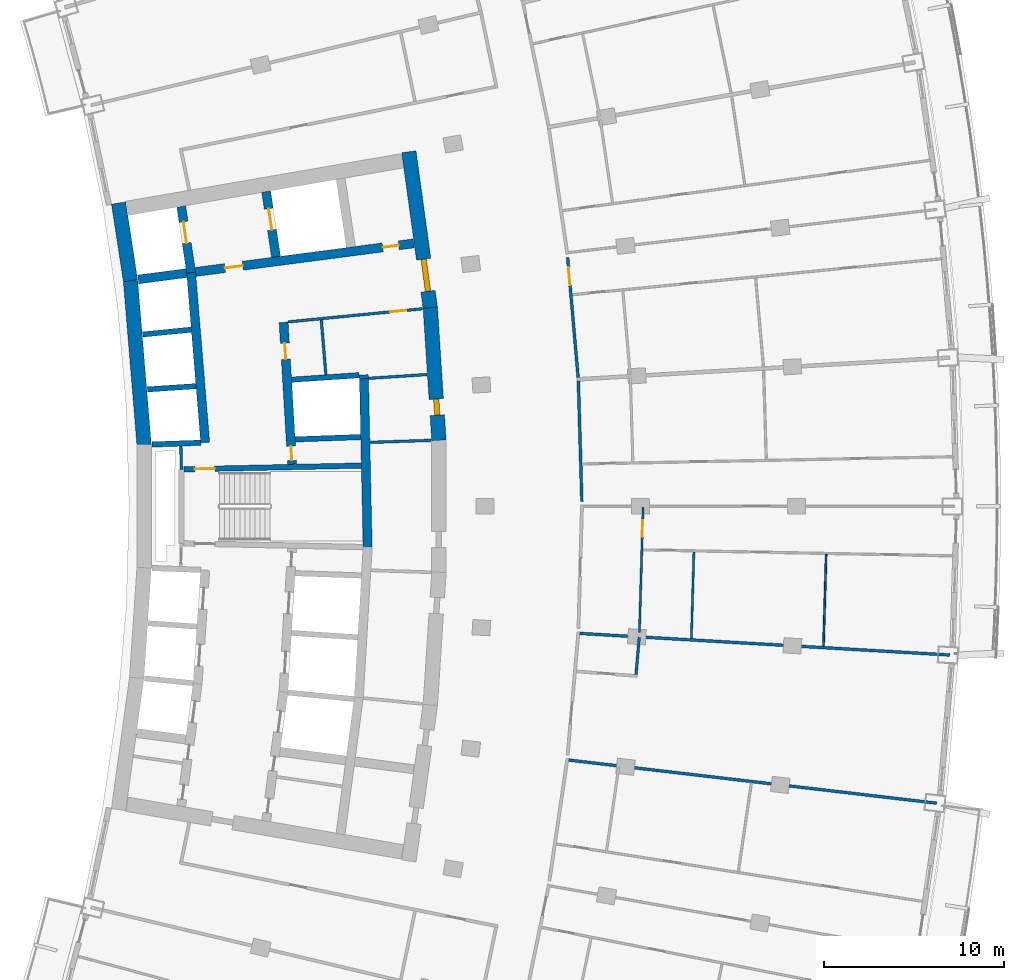
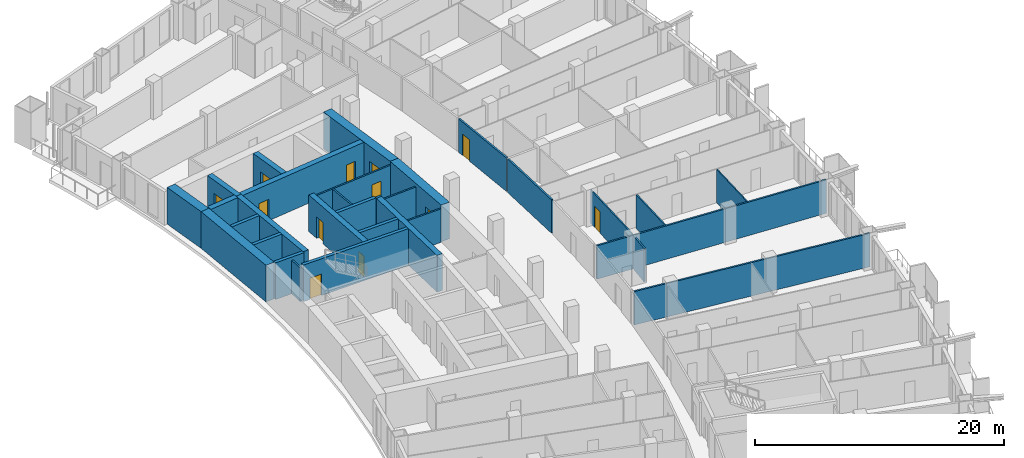
# One storey, part 17 of 25: 31 walls, 12 doors, 12 openings.
"""IFC4 building model written with IfcOpenShell, lengths in metres."""

from ifc_helpers import new_model, si_unit, direction, frame, frame_2d, origin, place, context, subcontext, project, spatial, rectangle, extrude, material, layer, layer_set, type_object, element, fill, save


model = new_model("IFC4")

# Units and contexts
model_context = context("Model", 3, precision=1e-05, world=origin(), true_north=direction((0.0, 1.0)))
body_context = subcontext(model_context, "Body", "Model", "MODEL_VIEW")
ifc_project = project(units=[si_unit("LENGTHUNIT", "METRE"), si_unit("AREAUNIT", "SQUARE_METRE"), si_unit("VOLUMEUNIT", "CUBIC_METRE"), si_unit("PLANEANGLEUNIT", "RADIAN"), si_unit("MASSUNIT", "GRAM", prefix="KILO")], contexts=[model_context])

# Site, building, storey
site_placement = place(None, origin())
site = spatial("IfcSite", under=ifc_project, at=site_placement, CompositionType="ELEMENT")
building_placement = place(site_placement, origin())
building = spatial("IfcBuilding", under=site, at=building_placement, Name="Alderwake Tower", CompositionType="ELEMENT")
storey_placement = place(building_placement, frame((0.0, 0.0, 86.0)))
storey = spatial("IfcBuildingStorey", under=building, at=storey_placement, Name="L20", CompositionType="ELEMENT", Elevation=86.0)

# Walls
ifc_material_1 = material(Name="Gypsum shaft wall system, rated")
ifc_layer_1 = layer(ifc_material_1, 0.14990234375)
ifc_layer_set_1 = layer_set([ifc_layer_1], Name="Core room partition 150")
wall_type_1 = type_object("IfcWallType", Name="Core room partition 150", PredefinedType="PARTITIONING", material=ifc_layer_set_1)
wall_1_placement = place(storey_placement, frame((18.918701171875, 63.05517578125, 0.0), z_axis=(0.0, 0.0, 1.0), x_axis=(-0.027327648352, 0.999626530078, 0.0)))
element("IfcWall", 1, at=wall_1_placement, inside=storey, type_object=wall_type_1, Name="CW/L20/PA+24_+22", PredefinedType="PARTITIONING", context=body_context, shape_type="SweptSolid", body=[
    extrude(rectangle(XDim=1.29541015625, YDim=0.14990234375, at=frame_2d((0.647705078125, 0.0))), origin(), (0.0, 0.0, 1.0), 3.280029296875),
])
wall_2_placement = place(storey_placement, frame((26.94970703125, 68.3203125, 0.0), z_axis=(0.0, 0.0, 1.0), x_axis=(-0.082463525817, 0.996594083321, 0.0)))
element("IfcWall", 2, at=wall_2_placement, inside=storey, type_object=wall_type_1, Name="CW/L20/PA+107_+70", PredefinedType="PARTITIONING", context=body_context, shape_type="SweptSolid", body=[
    extrude(rectangle(XDim=3.055419921875, YDim=0.14990234375, at=frame_2d((1.52783203125, 0.0))), origin(), (0.0, 0.0, 1.0), 3.280029296875),
])
wall_3_placement = place(storey_placement, frame((29.3974609375, 64.55810546875, 0.0), z_axis=(0.0, 0.0, 1.0), x_axis=(0.999470631901, 0.032533920269, 0.0)))
element("IfcWall", 3, at=wall_3_placement, inside=storey, type_object=wall_type_1, Name="CW/L20/PR+34_+128", PredefinedType="PARTITIONING", context=body_context, shape_type="SweptSolid", body=[
    extrude(rectangle(XDim=3.414306640625, YDim=0.14990234375, at=frame_2d((1.70703125, 0.0))), origin(), (0.0, 0.0, 1.0), 3.280029296875),
])
wall_4_placement = place(storey_placement, frame((29.318603515625, 68.11865234375, 0.0), z_axis=(0.0, 0.0, 1.0), x_axis=(0.997885072108, 0.065002945035, 0.0)))
element("IfcWall", 4, at=wall_4_placement, inside=storey, type_object=wall_type_1, Name="CW/L20/PR+68_+128", PredefinedType="PARTITIONING", context=body_context, shape_type="SweptSolid", body=[
    extrude(rectangle(XDim=3.260009765625, YDim=0.14990234375, at=frame_2d((1.6298828125, 0.0))), origin(), (0.0, 0.0, 1.0), 3.280029296875),
])

# Wall, opening, door
wall_5_placement = place(storey_placement, frame((32.333251953125, 71.991943359375, 0.0), z_axis=(0.0, 0.0, 1.0), x_axis=(-0.995248348328, -0.097369015353, 0.0)))
wall_5 = element("IfcWall", 5, at=wall_5_placement, inside=storey, type_object=wall_type_1, Name="CW/L20/PR+102_+86", PredefinedType="PARTITIONING", context=body_context, shape_type="SweptSolid", body=[
    extrude(rectangle(XDim=7.51953125, YDim=0.14990234375, at=frame_2d((3.759765625, 0.0))), origin(), (0.0, 0.0, 1.0), 3.280029296875),
])
opening_1_placement = place(wall_5_placement, frame((0.919921875, 0.0, 0.0)))
opening_1 = element("IfcOpeningElement", 6, at=opening_1_placement, cuts=wall_5, Name="Opening C021", PredefinedType="OPENING", context=body_context, shape_type="SweptSolid", body=[
    extrude(rectangle(XDim=0.89990234375, YDim=2.10009765625, at=frame_2d((0.449951171875, 1.050048828125))), frame((0.0, 0.0849609375, 0.0), z_axis=(0.0, -1.0, 0.0), x_axis=(1.0, 0.0, 0.0)), (0.0, 0.0, 1.0), 0.169921875),
])
ifc_material_2 = material(Name="Painted steel leaf", Category="steel")
door_type_1 = type_object("IfcDoorType", Name="Core room door 900", OperationType="SINGLE_SWING_LEFT", PredefinedType="DOOR", material=ifc_material_2)
door_1_placement = place(opening_1_placement, origin())
door_1 = element("IfcDoor", 7, at=door_1_placement, inside=storey, type_object=door_type_1, Name="Room door", OperationType="SINGLE_SWING_RIGHT", OverallHeight=2.10009765625, OverallWidth=0.89990234375, PredefinedType="DOOR", context=body_context, shape_type="SweptSolid", body=[
    extrude(rectangle(XDim=0.89990234375, YDim=2.10009765625, at=frame_2d((0.449951171875, 1.050048828125))), frame((0.0, 0.02490234375, 0.0), z_axis=(0.0, -1.0, 0.0), x_axis=(1.0, 0.0, 0.0)), (0.0, 0.0, 1.0), 0.050048828125),
])
fill(opening_1, door_1)

# Walls
ifc_material_3 = material(Name="Concrete C70/85", Category="concrete")
ifc_layer_2 = layer(ifc_material_3, 0.800048828125)
ifc_layer_set_2 = layer_set([ifc_layer_2], Name="Core wall outer 800 C70-85")
wall_type_2 = type_object("IfcWallType", Name="Core wall outer 800 C70-85", PredefinedType="SHEAR", material=ifc_layer_set_2)
wall_6_placement = place(storey_placement, frame((16.8408203125, 64.410888671875, 0.0), z_axis=(0.0, 0.0, 1.0), x_axis=(-0.082619502339, 0.996581164699, 0.0)))
element("IfcWall", 8, at=wall_6_placement, inside=storey, type_object=wall_type_2, Name="Core wall CW.040", PredefinedType="SHEAR", context=body_context, shape_type="SweptSolid", body=[
    extrude(rectangle(XDim=9.201904296875, YDim=0.800048828125, at=frame_2d((4.60107421875, 0.0))), origin(), (0.0, 0.0, 1.0), 3.60009765625),
])
wall_7_placement = place(storey_placement, frame((16.083984375, 73.552490234375, 0.0), z_axis=(0.0, 0.0, 1.0), x_axis=(-0.151981606421, 0.988383322052, 0.0)))
element("IfcWall", 9, at=wall_7_placement, inside=storey, type_object=wall_type_2, Name="Core wall CW.039", PredefinedType="SHEAR", context=body_context, shape_type="SweptSolid", body=[
    extrude(rectangle(XDim=4.369384765625, YDim=0.800048828125, at=frame_2d((2.1845703125, 0.0))), origin(), (0.0, 0.0, 1.0), 3.60009765625),
])

# Wall, opening, door
wall_8_placement = place(storey_placement, frame((32.760498046875, 72.048583984375, 0.0), z_axis=(0.0, 0.0, 1.0), x_axis=(0.064976219143, -0.997886812693, 0.0)))
wall_8 = element("IfcWall", 10, at=wall_8_placement, inside=storey, type_object=wall_type_2, Name="Core wall CW.010", PredefinedType="SHEAR", context=body_context, shape_type="SweptSolid", body=[
    extrude(rectangle(XDim=7.39453125, YDim=0.800048828125, at=frame_2d((3.697265625, 0.0))), origin(), (0.0, 0.0, 1.0), 3.60009765625),
])
opening_2_placement = place(wall_8_placement, frame((5.08984375, 0.0, 0.0)))
opening_2 = element("IfcOpeningElement", 11, at=opening_2_placement, cuts=wall_8, Name="Opening C035", PredefinedType="OPENING", context=body_context, shape_type="SweptSolid", body=[
    extrude(rectangle(XDim=0.89990234375, YDim=2.10009765625, at=frame_2d((0.449951171875, 1.050048828125))), frame((0.0, 0.409912109375, 0.0), z_axis=(0.0, -1.0, 0.0), x_axis=(1.0, 0.0, 0.0)), (0.0, 0.0, 1.0), 0.820068359375),
])
door_2_placement = place(opening_2_placement, origin())
door_2 = element("IfcDoor", 12, at=door_2_placement, inside=storey, type_object=door_type_1, Name="Room door", OperationType="SINGLE_SWING_RIGHT", OverallHeight=2.10009765625, OverallWidth=0.89990234375, PredefinedType="DOOR", context=body_context, shape_type="SweptSolid", body=[
    extrude(rectangle(XDim=0.89990234375, YDim=2.10009765625, at=frame_2d((0.449951171875, 1.050048828125))), frame((0.0, 0.14990234375, 0.0), z_axis=(0.0, -1.0, 0.0), x_axis=(1.0, 0.0, 0.0)), (0.0, 0.0, 1.0), 0.300048828125),
])
fill(opening_2, door_2)

wall_9_placement = place(storey_placement, frame((31.569580078125, 80.7265625, 0.0), z_axis=(0.0, 0.0, 1.0), x_axis=(0.135838347444, -0.990731014637, 0.0)))
wall_9 = element("IfcWall", 13, at=wall_9_placement, inside=storey, type_object=wall_type_2, Name="Core wall CW.009", PredefinedType="SHEAR", context=body_context, shape_type="SweptSolid", body=[
    extrude(rectangle(XDim=8.788818359375, YDim=0.800048828125, at=frame_2d((4.39453125, 0.0))), origin(), (0.0, 0.0, 1.0), 3.60009765625),
])
opening_3_placement = place(wall_9_placement, frame((6.032958984375, 0.0, 0.0)))
opening_3 = element("IfcOpeningElement", 14, at=opening_3_placement, cuts=wall_9, Name="Opening C001", PredefinedType="OPENING", context=body_context, shape_type="SweptSolid", body=[
    extrude(rectangle(XDim=1.800048828125, YDim=2.10009765625, at=frame_2d((0.89990234375, 1.050048828125))), frame((0.0, 0.409912109375, 0.0), z_axis=(0.0, -1.0, 0.0), x_axis=(1.0, 0.0, 0.0)), (0.0, 0.0, 1.0), 0.820068359375),
])
ifc_material_4 = material(Name="Steel-framed fire door leaves", Category="steel")
door_type_2 = type_object("IfcDoorType", Name="Core double door 1800 fire-rated", OperationType="DOUBLE_DOOR_SINGLE_SWING", PredefinedType="DOOR", material=ifc_material_4)
door_3_placement = place(opening_3_placement, origin())
door_3 = element("IfcDoor", 15, at=door_3_placement, inside=storey, type_object=door_type_2, Name="Lobby double door", OperationType="DOUBLE_DOOR_SINGLE_SWING", OverallHeight=2.10009765625, OverallWidth=1.800048828125, PredefinedType="DOOR", context=body_context, shape_type="SweptSolid", body=[
    extrude(rectangle(XDim=1.800048828125, YDim=2.10009765625, at=frame_2d((0.89990234375, 1.050048828125))), frame((0.0, 0.14990234375, 0.0), z_axis=(0.0, -1.0, 0.0), x_axis=(1.0, 0.0, 0.0)), (0.0, 0.0, 1.0), 0.300048828125),
])
fill(opening_3, door_3)

# Walls
ifc_material_5 = material(Name="Concrete C70/85", Category="concrete")
ifc_layer_3 = layer(ifc_material_5, 0.300048828125)
ifc_layer_set_3 = layer_set([ifc_layer_3], Name="Core wall shaft 300 C70-85")
wall_type_3 = type_object("IfcWallType", Name="Core wall shaft 300 C70-85", PredefinedType="SHEAR", material=ifc_layer_set_3)
wall_10_placement = place(storey_placement, frame((17.269287109375, 64.443115234375, 0.0), z_axis=(0.0, 0.0, 1.0), x_axis=(0.999374239339, 0.03537131246, 0.0)))
element("IfcWall", 16, at=wall_10_placement, inside=storey, type_object=wall_type_3, Name="Core wall CW.059", PredefinedType="SHEAR", context=body_context, shape_type="SweptSolid", body=[
    extrude(rectangle(XDim=2.719482421875, YDim=0.300048828125, at=frame_2d((1.35986328125, 0.0))), origin(), (0.0, 0.0, 1.0), 3.60009765625),
])
wall_11_placement = place(storey_placement, frame((25.2412109375, 64.725341796875, 0.0), z_axis=(0.0, 0.0, 1.0), x_axis=(0.999374468163, 0.035364846723, 0.0)))
element("IfcWall", 17, at=wall_11_placement, inside=storey, type_object=wall_type_3, Name="Core wall CW.060", PredefinedType="SHEAR", context=body_context, shape_type="SweptSolid", body=[
    extrude(rectangle(XDim=3.65185546875, YDim=0.300048828125, at=frame_2d((1.825927734375, 0.0))), origin(), (0.0, 0.0, 1.0), 3.60009765625),
])
wall_12_placement = place(storey_placement, frame((17.015869140625, 67.50390625, 0.0), z_axis=(0.0, 0.0, 1.0), x_axis=(0.997756033475, 0.066954444689, 0.0)))
element("IfcWall", 18, at=wall_12_placement, inside=storey, type_object=wall_type_3, Name="Core wall CW.062", PredefinedType="SHEAR", context=body_context, shape_type="SweptSolid", body=[
    extrude(rectangle(XDim=2.716552734375, YDim=0.300048828125, at=frame_2d((1.3583984375, 0.0))), origin(), (0.0, 0.0, 1.0), 3.60009765625),
])
wall_13_placement = place(storey_placement, frame((25.042236328125, 68.0419921875, 0.0), z_axis=(0.0, 0.0, 1.0), x_axis=(0.997762475899, 0.066858370369, 0.0)))
element("IfcWall", 19, at=wall_13_placement, inside=storey, type_object=wall_type_3, Name="Core wall CW.063", PredefinedType="SHEAR", context=body_context, shape_type="SweptSolid", body=[
    extrude(rectangle(XDim=3.772216796875, YDim=0.300048828125, at=frame_2d((1.88623046875, 0.0))), origin(), (0.0, 0.0, 1.0), 3.60009765625),
])
wall_14_placement = place(storey_placement, frame((16.76220703125, 70.561767578125, 0.0), z_axis=(0.0, 0.0, 1.0), x_axis=(0.995154832978, 0.098320183083, 0.0)))
element("IfcWall", 20, at=wall_14_placement, inside=storey, type_object=wall_type_3, Name="Core wall CW.050", PredefinedType="SHEAR", context=body_context, shape_type="SweptSolid", body=[
    extrude(rectangle(XDim=2.716552734375, YDim=0.300048828125, at=frame_2d((1.3583984375, 0.0))), origin(), (0.0, 0.0, 1.0), 3.60009765625),
])
ifc_material_6 = material(Name="Concrete C70/85", Category="concrete")
ifc_layer_4 = layer(ifc_material_6, 0.5)
ifc_layer_set_4 = layer_set([ifc_layer_4], Name="Core wall spine 500 C70-85")
wall_type_4 = type_object("IfcWallType", Name="Core wall spine 500 C70-85", PredefinedType="SHEAR", material=ifc_layer_set_4)
wall_15_placement = place(storey_placement, frame((20.2373046875, 64.548095703125, 0.0), z_axis=(0.0, 0.0, 1.0), x_axis=(-0.082641410547, 0.996579348202, 0.0)))
element("IfcWall", 21, at=wall_15_placement, inside=storey, type_object=wall_type_4, Name="Core wall CW.031", PredefinedType="SHEAR", context=body_context, shape_type="SweptSolid", body=[
    extrude(rectangle(XDim=9.500732421875, YDim=0.5, at=frame_2d((4.75048828125, 0.0))), origin(), (0.0, 0.0, 1.0), 3.60009765625),
])

# Wall, opening, door
wall_16_placement = place(storey_placement, frame((19.4541015625, 73.9990234375, 0.0), z_axis=(0.0, 0.0, 1.0), x_axis=(-0.14792928808, 0.988997940204, 0.0)))
wall_16 = element("IfcWall", 22, at=wall_16_placement, inside=storey, type_object=wall_type_4, Name="Core wall CW.030", PredefinedType="SHEAR", context=body_context, shape_type="SweptSolid", body=[
    extrude(rectangle(XDim=3.716552734375, YDim=0.5, at=frame_2d((1.8583984375, 0.0))), origin(), (0.0, 0.0, 1.0), 3.60009765625),
])
opening_4_placement = place(wall_16_placement, frame((1.66259765625, 0.0, 0.0)))
opening_4 = element("IfcOpeningElement", 23, at=opening_4_placement, cuts=wall_16, Name="Opening LD-FF1", PredefinedType="OPENING", context=body_context, shape_type="SweptSolid", body=[
    extrude(rectangle(XDim=1.199951171875, YDim=2.300048828125, at=frame_2d((0.60009765625, 1.14990234375))), frame((0.0, 0.260009765625, 0.0), z_axis=(0.0, -1.0, 0.0), x_axis=(1.0, 0.0, 0.0)), (0.0, 0.0, 1.0), 0.52001953125),
])
ifc_material_7 = material(Name="Stainless steel sliding leaf", Category="steel")
door_type_3 = type_object("IfcDoorType", Name="Lift landing door 1200", OperationType="SLIDING_TO_LEFT", PredefinedType="DOOR", material=ifc_material_7)
door_4_placement = place(opening_4_placement, origin())
door_4 = element("IfcDoor", 24, at=door_4_placement, inside=storey, type_object=door_type_3, Name="Lift landing door FF1", OperationType="SLIDING_TO_LEFT", OverallHeight=2.300048828125, OverallWidth=1.199951171875, PredefinedType="DOOR", context=body_context, shape_type="SweptSolid", body=[
    extrude(rectangle(XDim=1.199951171875, YDim=2.300048828125, at=frame_2d((0.60009765625, 1.14990234375))), frame((0.0, 0.02490234375, 0.0), z_axis=(0.0, -1.0, 0.0), x_axis=(1.0, 0.0, 0.0)), (0.0, 0.0, 1.0), 0.050048828125),
])
fill(opening_4, door_4)

# Wall, openings, doors
wall_17_placement = place(storey_placement, frame((25.073974609375, 63.335693359375, 0.0), z_axis=(0.0, 0.0, 1.0), x_axis=(-0.059848641072, 0.998207463487, 0.0)))
wall_17 = element("IfcWall", 25, at=wall_17_placement, inside=storey, type_object=wall_type_4, Name="Core wall CW.045", PredefinedType="SHEAR", context=body_context, shape_type="SweptSolid", body=[
    extrude(rectangle(XDim=7.913818359375, YDim=0.5, at=frame_2d((3.95703125, 0.0))), origin(), (0.0, 0.0, 1.0), 3.60009765625),
])
opening_5_placement = place(wall_17_placement, frame((0.216064453125, 0.0, 0.0)))
opening_5 = element("IfcOpeningElement", 26, at=opening_5_placement, cuts=wall_17, Name="Opening C005", PredefinedType="OPENING", context=body_context, shape_type="SweptSolid", body=[
    extrude(rectangle(XDim=0.800048828125, YDim=2.0, at=frame_2d((0.39990234375, 1.0))), frame((0.0, 0.260009765625, 0.0), z_axis=(0.0, -1.0, 0.0), x_axis=(1.0, 0.0, 0.0)), (0.0, 0.0, 1.0), 0.52001953125),
])
opening_6_placement = place(wall_17_placement, frame((5.856201171875, 0.0, 0.0)))
opening_6 = element("IfcOpeningElement", 27, at=opening_6_placement, cuts=wall_17, Name="Opening C024", PredefinedType="OPENING", context=body_context, shape_type="SweptSolid", body=[
    extrude(rectangle(XDim=0.89990234375, YDim=2.10009765625, at=frame_2d((0.449951171875, 1.050048828125))), frame((0.0, 0.260009765625, 0.0), z_axis=(0.0, -1.0, 0.0), x_axis=(1.0, 0.0, 0.0)), (0.0, 0.0, 1.0), 0.52001953125),
])
door_5_placement = place(opening_6_placement, origin())
door_5 = element("IfcDoor", 28, at=door_5_placement, inside=storey, type_object=door_type_1, Name="Room door", OperationType="SINGLE_SWING_LEFT", OverallHeight=2.10009765625, OverallWidth=0.89990234375, PredefinedType="DOOR", context=body_context, shape_type="SweptSolid", body=[
    extrude(rectangle(XDim=0.89990234375, YDim=2.10009765625, at=frame_2d((0.449951171875, 1.050048828125))), frame((0.0, 0.02490234375, 0.0), z_axis=(0.0, -1.0, 0.0), x_axis=(1.0, 0.0, 0.0)), (0.0, 0.0, 1.0), 0.050048828125),
])
fill(opening_6, door_5)
ifc_material_8 = material(Name="Painted steel leaf, rated", Category="steel")
door_type_4 = type_object("IfcDoorType", Name="Riser access door 800", OperationType="SINGLE_SWING_LEFT", PredefinedType="DOOR", material=ifc_material_8)
door_6_placement = place(opening_5_placement, origin())
door_6 = element("IfcDoor", 29, at=door_6_placement, inside=storey, type_object=door_type_4, Name="Riser access door", OperationType="SINGLE_SWING_LEFT", OverallHeight=2.0, OverallWidth=0.800048828125, PredefinedType="DOOR", context=body_context, shape_type="SweptSolid", body=[
    extrude(rectangle(XDim=0.800048828125, YDim=2.0, at=frame_2d((0.39990234375, 1.0))), frame((0.0, 0.02490234375, 0.0), z_axis=(0.0, -1.0, 0.0), x_axis=(1.0, 0.0, 0.0)), (0.0, 0.0, 1.0), 0.050048828125),
])
fill(opening_5, door_6)

# Wall, opening, door
wall_18_placement = place(storey_placement, frame((24.1796875, 74.878173828125, 0.0), z_axis=(0.0, 0.0, 1.0), x_axis=(-0.149334835296, 0.988786684259, 0.0)))
wall_18 = element("IfcWall", 30, at=wall_18_placement, inside=storey, type_object=wall_type_4, Name="Core wall CW.044", PredefinedType="SHEAR", context=body_context, shape_type="SweptSolid", body=[
    extrude(rectangle(XDim=3.673583984375, YDim=0.5, at=frame_2d((1.8369140625, 0.0))), origin(), (0.0, 0.0, 1.0), 3.60009765625),
])
opening_7_placement = place(wall_18_placement, frame((1.51171875, 0.0, 0.0)))
opening_7 = element("IfcOpeningElement", 31, at=opening_7_placement, cuts=wall_18, Name="Opening LD-FF2", PredefinedType="OPENING", context=body_context, shape_type="SweptSolid", body=[
    extrude(rectangle(XDim=1.199951171875, YDim=2.300048828125, at=frame_2d((0.60009765625, 1.14990234375))), frame((0.0, 0.260009765625, 0.0), z_axis=(0.0, -1.0, 0.0), x_axis=(1.0, 0.0, 0.0)), (0.0, 0.0, 1.0), 0.52001953125),
])
door_7_placement = place(opening_7_placement, origin())
door_7 = element("IfcDoor", 32, at=door_7_placement, inside=storey, type_object=door_type_3, Name="Lift landing door FF2", OperationType="SLIDING_TO_LEFT", OverallHeight=2.300048828125, OverallWidth=1.199951171875, PredefinedType="DOOR", context=body_context, shape_type="SweptSolid", body=[
    extrude(rectangle(XDim=1.199951171875, YDim=2.300048828125, at=frame_2d((0.60009765625, 1.14990234375))), frame((0.0, 0.02490234375, 0.0), z_axis=(0.0, -1.0, 0.0), x_axis=(1.0, 0.0, 0.0)), (0.0, 0.0, 1.0), 0.050048828125),
])
fill(opening_7, door_7)

# Walls
wall_19_placement = place(storey_placement, frame((29.276611328125, 58.71630859375, 0.0), z_axis=(0.0, 0.0, 1.0), x_axis=(-0.022115722908, 0.99975541749, 0.0)))
element("IfcWall", 33, at=wall_19_placement, inside=storey, type_object=wall_type_4, Name="Core wall CW.007", PredefinedType="SHEAR", context=body_context, shape_type="SweptSolid", body=[
    extrude(rectangle(XDim=9.394287109375, YDim=0.5, at=frame_2d((4.697265625, 0.0))), origin(), (0.0, 0.0, 1.0), 3.60009765625),
])
wall_20_placement = place(storey_placement, frame((29.0693359375, 68.096435546875, 0.0), z_axis=(0.0, 0.0, 1.0), x_axis=(-0.065840896216, 0.997830134034, 0.0)))
element("IfcWall", 34, at=wall_20_placement, inside=storey, type_object=wall_type_4, Name="Core wall CW.003", PredefinedType="SHEAR", context=body_context, shape_type="SweptSolid", body=[
    extrude(rectangle(XDim=0.215087890625, YDim=0.5, at=frame_2d((0.107421875, 0.0))), origin(), (0.0, 0.0, 1.0), 3.60009765625),
])
wall_21_placement = place(storey_placement, frame((16.508544921875, 73.62255859375, 0.0), z_axis=(0.0, 0.0, 1.0), x_axis=(0.991548766325, 0.129734513522, 0.0)))
element("IfcWall", 35, at=wall_21_placement, inside=storey, type_object=wall_type_4, Name="Core wall CW.051", PredefinedType="SHEAR", context=body_context, shape_type="SweptSolid", body=[
    extrude(rectangle(XDim=2.71923828125, YDim=0.5, at=frame_2d((1.359619140625, 0.0))), origin(), (0.0, 0.0, 1.0), 3.60009765625),
])

# Wall, openings, doors
wall_22_placement = place(storey_placement, frame((31.834716796875, 75.627197265625, 0.0), z_axis=(0.0, 0.0, 1.0), x_axis=(-0.991555516999, -0.129682908318, 0.0)))
wall_22 = element("IfcWall", 36, at=wall_22_placement, inside=storey, type_object=wall_type_4, Name="Core wall CW.052", PredefinedType="SHEAR", context=body_context, shape_type="SweptSolid", body=[
    extrude(rectangle(XDim=12.23681640625, YDim=0.5, at=frame_2d((6.118408203125, 0.0))), origin(), (0.0, 0.0, 1.0), 3.60009765625),
])
opening_8_placement = place(wall_22_placement, frame((9.587158203125, 0.0, 0.0)))
opening_8 = element("IfcOpeningElement", 37, at=opening_8_placement, cuts=wall_22, Name="Opening C002", PredefinedType="OPENING", context=body_context, shape_type="SweptSolid", body=[
    extrude(rectangle(XDim=1.0, YDim=2.10009765625, at=frame_2d((0.5, 1.050048828125))), frame((0.0, 0.260009765625, 0.0), z_axis=(0.0, -1.0, 0.0), x_axis=(1.0, 0.0, 0.0)), (0.0, 0.0, 1.0), 0.52001953125),
])
opening_9_placement = place(wall_22_placement, frame((0.837158203125, 0.0, 0.0)))
opening_9 = element("IfcOpeningElement", 38, at=opening_9_placement, cuts=wall_22, Name="Opening C020", PredefinedType="OPENING", context=body_context, shape_type="SweptSolid", body=[
    extrude(rectangle(XDim=0.89990234375, YDim=2.10009765625, at=frame_2d((0.449951171875, 1.050048828125))), frame((0.0, 0.260009765625, 0.0), z_axis=(0.0, -1.0, 0.0), x_axis=(1.0, 0.0, 0.0)), (0.0, 0.0, 1.0), 0.52001953125),
])
door_8_placement = place(opening_9_placement, origin())
door_8 = element("IfcDoor", 39, at=door_8_placement, inside=storey, type_object=door_type_1, Name="Room door", OperationType="SINGLE_SWING_LEFT", OverallHeight=2.10009765625, OverallWidth=0.89990234375, PredefinedType="DOOR", context=body_context, shape_type="SweptSolid", body=[
    extrude(rectangle(XDim=0.89990234375, YDim=2.10009765625, at=frame_2d((0.449951171875, 1.050048828125))), frame((0.0, 0.02490234375, 0.0), z_axis=(0.0, -1.0, 0.0), x_axis=(1.0, 0.0, 0.0)), (0.0, 0.0, 1.0), 0.050048828125),
])
fill(opening_9, door_8)
ifc_material_9 = material(Name="Steel-framed fire door leaf", Category="steel")
door_type_5 = type_object("IfcDoorType", Name="Firefighting lobby door 1000 fire-rated", OperationType="SINGLE_SWING_LEFT", PredefinedType="DOOR", material=ifc_material_9)
door_9_placement = place(opening_8_placement, origin())
door_9 = element("IfcDoor", 40, at=door_9_placement, inside=storey, type_object=door_type_5, Name="Firefighting lobby door", OperationType="SINGLE_SWING_RIGHT", OverallHeight=2.10009765625, OverallWidth=1.0, PredefinedType="DOOR", context=body_context, shape_type="SweptSolid", body=[
    extrude(rectangle(XDim=1.0, YDim=2.10009765625, at=frame_2d((0.5, 1.050048828125))), frame((0.0, 0.02490234375, 0.0), z_axis=(0.0, -1.0, 0.0), x_axis=(1.0, 0.0, 0.0)), (0.0, 0.0, 1.0), 0.050048828125),
])
fill(opening_8, door_9)

# Wall, opening, door
ifc_material_10 = material(Name="Concrete C70/85", Category="concrete")
ifc_layer_5 = layer(ifc_material_10, 0.300048828125)
ifc_layer_set_5 = layer_set([ifc_layer_5], Name="Core wall stair enclosure 300 C70-85")
wall_type_5 = type_object("IfcWallType", Name="Core wall stair enclosure 300 C70-85", PredefinedType="SHEAR", material=ifc_layer_set_5)
wall_23_placement = place(storey_placement, frame((19.068603515625, 63.060791015625, 0.0), z_axis=(0.0, 0.0, 1.0), x_axis=(0.999783647187, 0.02080045235, 0.0)))
wall_23 = element("IfcWall", 41, at=wall_23_placement, inside=storey, type_object=wall_type_5, Name="Core wall CW.057", PredefinedType="SHEAR", context=body_context, shape_type="SweptSolid", body=[
    extrude(rectangle(XDim=9.859375, YDim=0.300048828125, at=frame_2d((4.9296875, 0.0))), origin(), (0.0, 0.0, 1.0), 3.60009765625),
])
opening_10_placement = place(wall_23_placement, frame((0.60009765625, 0.0, 0.0)))
opening_10 = element("IfcOpeningElement", 42, at=opening_10_placement, cuts=wall_23, Name="Opening C064", PredefinedType="OPENING", context=body_context, shape_type="SweptSolid", body=[
    extrude(rectangle(XDim=1.10009765625, YDim=2.10009765625, at=frame_2d((0.550048828125, 1.050048828125))), frame((0.0, 0.159912109375, 0.0), z_axis=(0.0, -1.0, 0.0), x_axis=(1.0, 0.0, 0.0)), (0.0, 0.0, 1.0), 0.320068359375),
])
ifc_material_11 = material(Name="Steel-framed fire door leaf", Category="steel")
door_type_6 = type_object("IfcDoorType", Name="Core stair door 1100 fire-rated", OperationType="SINGLE_SWING_LEFT", PredefinedType="DOOR", material=ifc_material_11)
door_10_placement = place(opening_10_placement, origin())
door_10 = element("IfcDoor", 43, at=door_10_placement, inside=storey, type_object=door_type_6, Name="Stair door", OperationType="SINGLE_SWING_LEFT", OverallHeight=2.10009765625, OverallWidth=1.10009765625, PredefinedType="DOOR", context=body_context, shape_type="SweptSolid", body=[
    extrude(rectangle(XDim=1.10009765625, YDim=2.10009765625, at=frame_2d((0.550048828125, 1.050048828125))), frame((0.0, 0.02490234375, 0.0), z_axis=(0.0, -1.0, 0.0), x_axis=(1.0, 0.0, 0.0)), (0.0, 0.0, 1.0), 0.050048828125),
])
fill(opening_10, door_10)

# Wall
ifc_material_12 = material(Name="Gypsum board on metal studs, rated")
ifc_layer_6 = layer(ifc_material_12, 0.159912109375)
ifc_layer_set_6 = layer_set([ifc_layer_6], Name="Corridor wall 160")
wall_type_6 = type_object("IfcWallType", Name="Corridor wall 160", PredefinedType="PARTITIONING", material=ifc_layer_set_6)
wall_24_placement = place(storey_placement, frame((41.074951171875, 53.92919921875, 0.0), z_axis=(0.0, 0.0, 1.0), x_axis=(0.998301701652, -0.058255578946, 0.0)))
element("IfcWall", 44, at=wall_24_placement, inside=storey, type_object=wall_type_6, Name="WL/L20/W39", PredefinedType="PARTITIONING", context=body_context, shape_type="SweptSolid", body=[
    extrude(rectangle(XDim=20.618896484375, YDim=0.159912109375, at=frame_2d((10.3095703125, 0.0))), origin(), (0.0, 0.0, 1.0), 3.280029296875),
])

# Wall, opening, door
wall_25_placement = place(storey_placement, frame((40.400390625, 74.84228515625, 0.0), z_axis=(0.0, 0.0, 1.0), x_axis=(0.087437661692, -0.996169993183, 0.0)))
wall_25 = element("IfcWall", 45, at=wall_25_placement, inside=storey, type_object=wall_type_6, Name="WL/L20/W40", PredefinedType="PARTITIONING", context=body_context, shape_type="SweptSolid", body=[
    extrude(rectangle(XDim=6.701171875, YDim=0.159912109375, at=frame_2d((3.3505859375, 0.0))), origin(), (0.0, 0.0, 1.0), 3.280029296875),
])
opening_11_placement = place(wall_25_placement, frame((0.544921875, 0.0, 0.0)))
opening_11 = element("IfcOpeningElement", 46, at=opening_11_placement, cuts=wall_25, Name="Opening R05-U07.2", PredefinedType="OPENING", context=body_context, shape_type="SweptSolid", body=[
    extrude(rectangle(XDim=1.0, YDim=2.10009765625, at=frame_2d((0.5, 1.050048828125))), frame((0.0, 0.08984375, 0.0), z_axis=(0.0, -1.0, 0.0), x_axis=(1.0, 0.0, 0.0)), (0.0, 0.0, 1.0), 0.179931640625),
])
ifc_material_13 = material(Name="Solid timber leaf in steel frame", Category="steel")
door_type_7 = type_object("IfcDoorType", Name="Flat entrance door 1000 fire-rated", OperationType="SINGLE_SWING_LEFT", PredefinedType="DOOR", material=ifc_material_13)
door_11_placement = place(opening_11_placement, origin())
door_11 = element("IfcDoor", 47, at=door_11_placement, inside=storey, type_object=door_type_7, Name="DR/L20/U07.2", OperationType="SINGLE_SWING_LEFT", OverallHeight=2.10009765625, OverallWidth=1.0, PredefinedType="DOOR", context=body_context, shape_type="SweptSolid", body=[
    extrude(rectangle(XDim=1.0, YDim=2.10009765625, at=frame_2d((0.5, 1.050048828125))), frame((0.0, 0.02490234375, 0.0), z_axis=(0.0, -1.0, 0.0), x_axis=(1.0, 0.0, 0.0)), (0.0, 0.0, 1.0), 0.050048828125),
])
fill(opening_11, door_11)

# Walls
wall_26_placement = place(storey_placement, frame((40.997802734375, 67.967041015625, 0.0), z_axis=(0.0, 0.0, 1.0), x_axis=(0.0288778927, -0.99958294669, 0.0)))
element("IfcWall", 48, at=wall_26_placement, inside=storey, type_object=wall_type_6, Name="WL/L20/W41", PredefinedType="PARTITIONING", context=body_context, shape_type="SweptSolid", body=[
    extrude(rectangle(XDim=6.7041015625, YDim=0.159912109375, at=frame_2d((3.35205078125, 0.0))), origin(), (0.0, 0.0, 1.0), 3.280029296875),
])
wall_27_placement = place(storey_placement, frame((60.93603515625, 44.48388671875, 0.0), z_axis=(0.0, 0.0, 1.0), x_axis=(-0.993203681346, 0.116389206376, 0.0)))
element("IfcWall", 49, at=wall_27_placement, inside=storey, type_object=wall_type_6, Name="WL/L20/W42", PredefinedType="PARTITIONING", context=body_context, shape_type="SweptSolid", body=[
    extrude(rectangle(XDim=20.61962890625, YDim=0.159912109375, at=frame_2d((10.309814453125, 0.0))), origin(), (0.0, 0.0, 1.0), 3.280029296875),
])
ifc_material_14 = material(Name="Gypsum shaft wall system, rated")
ifc_layer_7 = layer(ifc_material_14, 0.14990234375)
ifc_layer_set_7 = layer_set([ifc_layer_7], Name="Riser and shaft wall 150")
wall_type_7 = type_object("IfcWallType", Name="Riser and shaft wall 150", PredefinedType="PARTITIONING", material=ifc_layer_set_7)
wall_28_placement = place(storey_placement, frame((44.20556640625, 51.638671875, 0.0), z_axis=(0.0, 0.0, 1.0), x_axis=(0.086639720886, 0.99623970949, 0.0)))
element("IfcWall", 50, at=wall_28_placement, inside=storey, type_object=wall_type_7, Name="WL/L20/W14", PredefinedType="PARTITIONING", context=body_context, shape_type="SweptSolid", body=[
    extrude(rectangle(XDim=2.085205078125, YDim=0.14990234375, at=frame_2d((1.04248046875, 0.0))), origin(), (0.0, 0.0, 1.0), 3.280029296875),
])
ifc_material_15 = material(Name="Gypsum board on metal studs")
ifc_layer_8 = layer(ifc_material_15, 0.10009765625)
ifc_layer_set_8 = layer_set([ifc_layer_8], Name="Unit partition 100")
wall_type_8 = type_object("IfcWallType", Name="Unit partition 100", PredefinedType="PARTITIONING", material=ifc_layer_set_8)
wall_29_placement = place(storey_placement, frame((54.63525390625, 53.216064453125, 0.0), z_axis=(0.0, 0.0, 1.0), x_axis=(0.029156453888, 0.999574860226, 0.0)))
element("IfcWall", 51, at=wall_29_placement, inside=storey, type_object=wall_type_8, Name="WL/L20/W84", PredefinedType="PARTITIONING", context=body_context, shape_type="SweptSolid", body=[
    extrude(rectangle(XDim=5.1162109375, YDim=0.10009765625, at=frame_2d((2.55810546875, 0.0))), origin(), (0.0, 0.0, 1.0), 3.280029296875),
])

# Wall, opening, door
ifc_material_16 = material(Name="Moisture resistant gypsum board on metal studs")
ifc_layer_9 = layer(ifc_material_16, 0.1201171875)
ifc_layer_set_9 = layer_set([ifc_layer_9], Name="Wet room partition 120")
wall_type_9 = type_object("IfcWallType", Name="Wet room partition 120", PredefinedType="PARTITIONING", material=ifc_layer_set_9)
wall_30_placement = place(storey_placement, frame((44.599609375, 60.948974609375, 0.0), z_axis=(0.0, 0.0, 1.0), x_axis=(-0.029334168017, -0.999569660697, 0.0)))
wall_30 = element("IfcWall", 52, at=wall_30_placement, inside=storey, type_object=wall_type_9, Name="WL/L20/W60", PredefinedType="PARTITIONING", context=body_context, shape_type="SweptSolid", body=[
    extrude(rectangle(XDim=6.966064453125, YDim=0.1201171875, at=frame_2d((3.48291015625, 0.0))), origin(), (0.0, 0.0, 1.0), 3.280029296875),
])
opening_12_placement = place(wall_30_placement, frame((0.735595703125, 0.0, 0.0)))
opening_12 = element("IfcOpeningElement", 53, at=opening_12_placement, cuts=wall_30, Name="Opening R05-U06.3", PredefinedType="OPENING", context=body_context, shape_type="SweptSolid", body=[
    extrude(rectangle(XDim=0.89990234375, YDim=2.10009765625, at=frame_2d((0.449951171875, 1.050048828125))), frame((0.0, 0.070068359375, 0.0), z_axis=(0.0, -1.0, 0.0), x_axis=(1.0, 0.0, 0.0)), (0.0, 0.0, 1.0), 0.14013671875),
])
ifc_material_17 = material(Name="Painted timber leaf", Category="wood")
door_type_8 = type_object("IfcDoorType", Name="Room door 900", OperationType="SINGLE_SWING_LEFT", PredefinedType="DOOR", material=ifc_material_17)
door_12_placement = place(opening_12_placement, origin())
door_12 = element("IfcDoor", 54, at=door_12_placement, inside=storey, type_object=door_type_8, Name="DR/L20/U06.3", OperationType="SINGLE_SWING_LEFT", OverallHeight=2.10009765625, OverallWidth=0.89990234375, PredefinedType="DOOR", context=body_context, shape_type="SweptSolid", body=[
    extrude(rectangle(XDim=0.89990234375, YDim=2.10009765625, at=frame_2d((0.449951171875, 1.050048828125))), frame((0.0, 0.02490234375, 0.0), z_axis=(0.0, -1.0, 0.0), x_axis=(1.0, 0.0, 0.0)), (0.0, 0.0, 1.0), 0.050048828125),
])
fill(opening_12, door_12)

# Wall
wall_31_placement = place(storey_placement, frame((47.285400390625, 53.64794921875, 0.0), z_axis=(0.0, 0.0, 1.0), x_axis=(0.029043677769, 0.999578143409, 0.0)))
element("IfcWall", 55, at=wall_31_placement, inside=storey, type_object=wall_type_9, Name="WL/L20/W63", PredefinedType="PARTITIONING", context=body_context, shape_type="SweptSolid", body=[
    extrude(rectangle(XDim=4.824951171875, YDim=0.1201171875, at=frame_2d((2.41259765625, 0.0))), origin(), (0.0, 0.0, 1.0), 3.280029296875),
])

save(model, "model.ifc")
